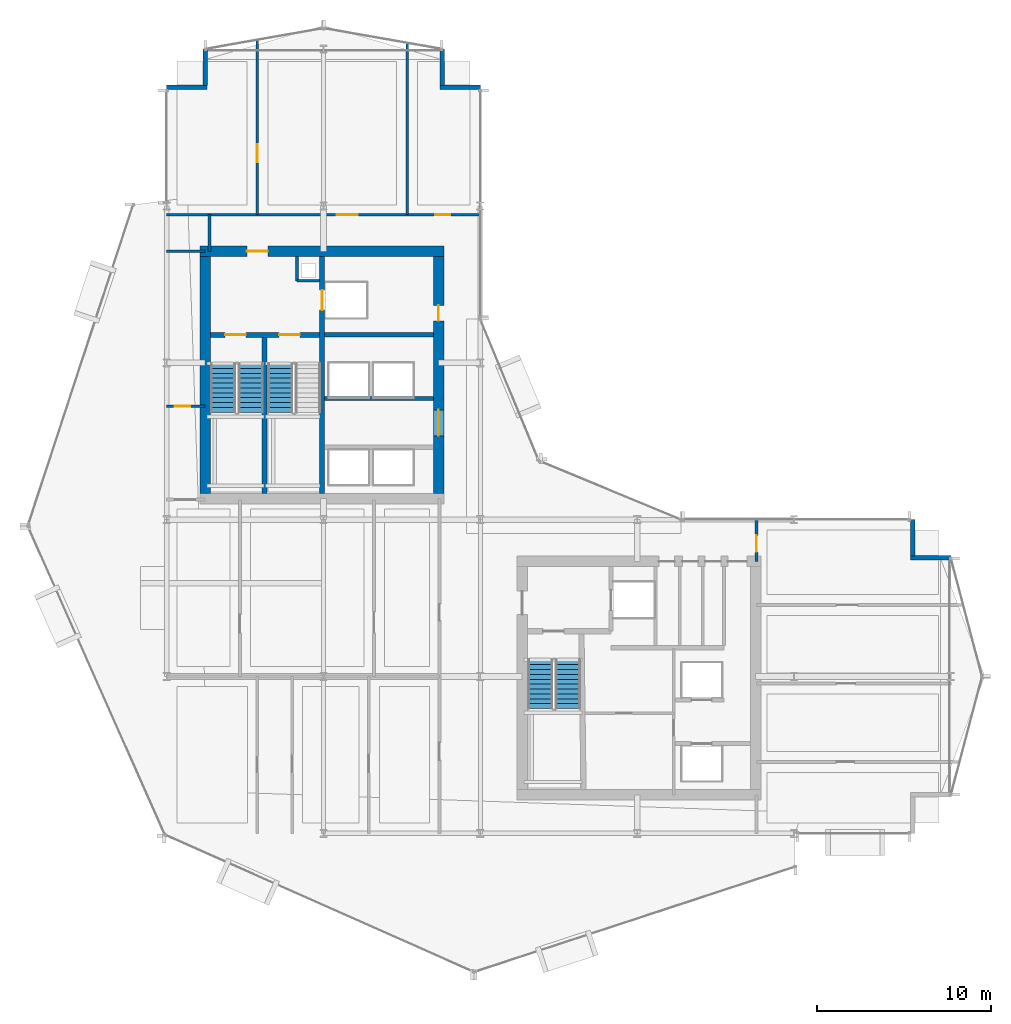
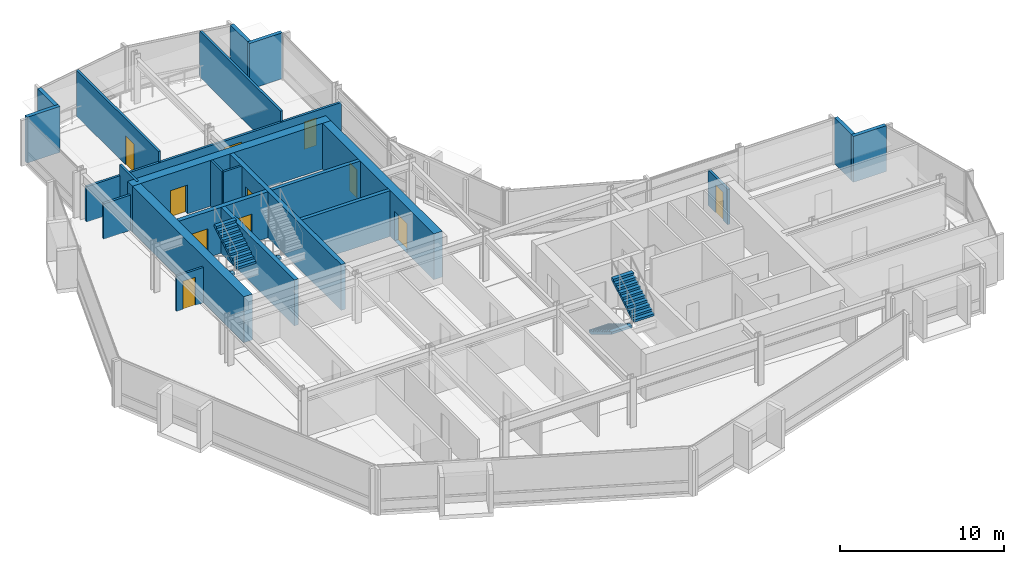
# One storey, part 23 of 29: 23 walls, 11 doors, 5 stair flights, 11 openings, 3 elements without a shape of their own.
"""IFC4 building model written with IfcOpenShell, lengths in metres."""

from ifc_helpers import new_model, si_unit, direction, frame, frame_2d, origin, place, context, subcontext, project, spatial, polyline, rectangle, outline, extrude, material, layer, layer_set, type_object, element, fill, aggregate, save


model = new_model("IFC4")

# Units and contexts
model_context = context("Model", 3, precision=1e-05, world=origin(), true_north=direction((0.0, 1.0)))
body_context = subcontext(model_context, "Body", "Model", "MODEL_VIEW")
ifc_project = project(units=[si_unit("LENGTHUNIT", "METRE"), si_unit("AREAUNIT", "SQUARE_METRE"), si_unit("VOLUMEUNIT", "CUBIC_METRE"), si_unit("PLANEANGLEUNIT", "RADIAN"), si_unit("MASSUNIT", "GRAM", prefix="KILO")], contexts=[model_context])

# Site, building, storey
site_placement = place(None, origin())
site = spatial("IfcSite", under=ifc_project, at=site_placement, CompositionType="ELEMENT")
building_placement = place(site_placement, origin())
building = spatial("IfcBuilding", under=site, at=building_placement, Name="Solvaryn Broadcast Tower", CompositionType="ELEMENT")
storey_placement = place(building_placement, frame((0.0, 0.0, 121.10009765625)))
storey = spatial("IfcBuildingStorey", under=building, at=storey_placement, Name="L29", CompositionType="ELEMENT", Elevation=121.10009765625)

# Wall, opening, door
ifc_material_1 = material(Name="Concrete f'c 70 MPa", Category="concrete")
ifc_layer_1 = layer(ifc_material_1, 0.60009765625)
ifc_layer_set_1 = layer_set([ifc_layer_1], Name="CW-SHEAR-600")
wall_type_1 = type_object("IfcWallType", Name="CW-SHEAR-600", PredefinedType="SHEAR", material=ifc_layer_set_1)
wall_1_placement = place(storey_placement, frame((24.89990234375, 42.39990234375, 0.0), z_axis=(0.0, 0.0, 1.0), x_axis=(-1.0, 0.0, 0.0)))
wall_1 = element("IfcWall", 1, at=wall_1_placement, inside=storey, type_object=wall_type_1, Name="L29 West Core North Shear Wall", PredefinedType="SHEAR", context=body_context, shape_type="SweptSolid", body=[
    extrude(rectangle(XDim=14.0, YDim=0.60009765625, at=frame_2d((7.0, 0.0))), origin(), (0.0, 0.0, 1.0), 3.419921875),
])
opening_1_placement = place(wall_1_placement, frame((10.10009765625, 0.0, 0.0)))
opening_1 = element("IfcOpeningElement", 2, at=opening_1_placement, cuts=wall_1, Name="Opening FD90A", PredefinedType="OPENING", context=body_context, shape_type="SweptSolid", body=[
    extrude(rectangle(XDim=1.199951171875, YDim=2.14990234375, at=frame_2d((0.60009765625, 1.074951171875))), frame((0.0, 0.31005859375, 0.0), z_axis=(0.0, -1.0, 0.0), x_axis=(1.0, 0.0, 0.0)), (0.0, 0.0, 1.0), 0.6201171875),
])
ifc_material_2 = material(Name="Flush Acoustic Steel and Timber Door Assembly", Category="steel")
door_type_1 = type_object("IfcDoorType", Name="FD90-STAIR-1200X2150", OperationType="NOTDEFINED", PredefinedType="DOOR", material=ifc_material_2)
door_1_placement = place(opening_1_placement, origin())
door_1 = element("IfcDoor", 3, at=door_1_placement, inside=storey, type_object=door_type_1, Name="L29 West FSAE Lobby Corridor Door", OperationType="SINGLE_SWING_LEFT", OverallHeight=2.14990234375, OverallWidth=1.199951171875, PredefinedType="DOOR", context=body_context, shape_type="SweptSolid", body=[
    extrude(rectangle(XDim=1.199951171875, YDim=2.14990234375, at=frame_2d((0.60009765625, 1.074951171875))), frame((0.0, 0.02490234375, 0.0), z_axis=(0.0, -1.0, 0.0), x_axis=(1.0, 0.0, 0.0)), (0.0, 0.0, 1.0), 0.050048828125),
])
fill(opening_1, door_1)

# Wall
wall_2_placement = place(storey_placement, frame((11.199951171875, 42.10009765625, 0.0), z_axis=(0.0, 0.0, 1.0), x_axis=(0.0, -1.0, 0.0)))
element("IfcWall", 4, at=wall_2_placement, inside=storey, type_object=wall_type_1, Name="L29 West Core West Shear Wall", PredefinedType="SHEAR", context=body_context, shape_type="SweptSolid", body=[
    extrude(rectangle(XDim=13.60009765625, YDim=0.60009765625, at=frame_2d((6.800048828125, 0.0))), origin(), (0.0, 0.0, 1.0), 3.419921875),
])

# Wall, openings, doors
wall_3_placement = place(storey_placement, frame((24.60009765625, 28.5, 0.0), z_axis=(0.0, 0.0, 1.0), x_axis=(0.0, 1.0, 0.0)))
wall_3 = element("IfcWall", 5, at=wall_3_placement, inside=storey, type_object=wall_type_1, Name="L29 West Core East Shear Wall", PredefinedType="SHEAR", context=body_context, shape_type="SweptSolid", body=[
    extrude(rectangle(XDim=13.60009765625, YDim=0.60009765625, at=frame_2d((6.800048828125, 0.0))), origin(), (0.0, 0.0, 1.0), 3.419921875),
])
opening_2_placement = place(wall_3_placement, frame((3.300048828125, 0.0, 0.0)))
opening_2 = element("IfcOpeningElement", 6, at=opening_2_placement, cuts=wall_3, Name="Opening FD60A", PredefinedType="OPENING", context=body_context, shape_type="SweptSolid", body=[
    extrude(rectangle(XDim=1.5, YDim=2.199951171875, at=frame_2d((0.75, 1.10009765625))), frame((0.0, 0.31005859375, 0.0), z_axis=(0.0, -1.0, 0.0), x_axis=(1.0, 0.0, 0.0)), (0.0, 0.0, 1.0), 0.6201171875),
])
opening_3_placement = place(wall_3_placement, frame((9.89990234375, 0.0, 0.0)))
opening_3 = element("IfcOpeningElement", 7, at=opening_3_placement, cuts=wall_3, Name="Opening FD60C", PredefinedType="OPENING", context=body_context, shape_type="SweptSolid", body=[
    extrude(rectangle(XDim=0.89990234375, YDim=2.10009765625, at=frame_2d((0.449951171875, 1.050048828125))), frame((0.0, 0.31005859375, 0.0), z_axis=(0.0, -1.0, 0.0), x_axis=(1.0, 0.0, 0.0)), (0.0, 0.0, 1.0), 0.6201171875),
])
ifc_material_3 = material(Name="Flush Acoustic Steel and Timber Door Assembly", Category="steel")
door_type_2 = type_object("IfcDoorType", Name="FD60-CORR-1500X2200", OperationType="NOTDEFINED", PredefinedType="DOOR", material=ifc_material_3)
door_2_placement = place(opening_2_placement, origin())
door_2 = element("IfcDoor", 8, at=door_2_placement, inside=storey, type_object=door_type_2, Name="L29 West Elevator Lobby Corridor Door", OperationType="DOUBLE_DOOR_SINGLE_SWING", OverallHeight=2.199951171875, OverallWidth=1.5, PredefinedType="DOOR", context=body_context, shape_type="SweptSolid", body=[
    extrude(rectangle(XDim=1.5, YDim=2.199951171875, at=frame_2d((0.75, 1.10009765625))), frame((0.0, 0.02490234375, 0.0), z_axis=(0.0, -1.0, 0.0), x_axis=(1.0, 0.0, 0.0)), (0.0, 0.0, 1.0), 0.050048828125),
])
fill(opening_2, door_2)
ifc_material_4 = material(Name="Flush Acoustic Steel and Timber Door Assembly", Category="steel")
door_type_3 = type_object("IfcDoorType", Name="FD60-SERV-900X2100", OperationType="NOTDEFINED", PredefinedType="DOOR", material=ifc_material_4)
door_3_placement = place(opening_3_placement, origin())
door_3 = element("IfcDoor", 9, at=door_3_placement, inside=storey, type_object=door_type_3, Name="L29 West Core Service Door 1", OperationType="SINGLE_SWING_LEFT", OverallHeight=2.10009765625, OverallWidth=0.89990234375, PredefinedType="DOOR", context=body_context, shape_type="SweptSolid", body=[
    extrude(rectangle(XDim=0.89990234375, YDim=2.10009765625, at=frame_2d((0.449951171875, 1.050048828125))), frame((0.0, 0.02490234375, 0.0), z_axis=(0.0, -1.0, 0.0), x_axis=(1.0, 0.0, 0.0)), (0.0, 0.0, 1.0), 0.050048828125),
])
fill(opening_3, door_3)

# Walls
ifc_material_5 = material(Name="Concrete f'c 50 MPa", Category="concrete")
ifc_layer_2 = layer(ifc_material_5, 0.260009765625)
ifc_layer_set_2 = layer_set([ifc_layer_2], Name="EW-PIER-260")
wall_type_2 = type_object("IfcWallType", Name="EW-PIER-260", PredefinedType="SOLIDWALL", material=ifc_layer_set_2)
wall_4_placement = place(storey_placement, frame((9.0, 51.800048828125, 0.0), z_axis=(0.0, 0.0, 1.0), x_axis=(1.0, 0.0, 0.0)))
element("IfcWall", 10, at=wall_4_placement, inside=storey, type_object=wall_type_2, Name="L29 Notched Corner Pier Wall NNW1", PredefinedType="SOLIDWALL", context=body_context, shape_type="SweptSolid", body=[
    extrude(rectangle(XDim=2.320068359375, YDim=0.260009765625, at=frame_2d((1.16015625, 0.0))), origin(), (0.0, 0.0, 1.0), 3.419921875),
])
for number, where, z_axis, x_axis, name in (
    (11, (11.199951171875, 51.919921875, 0.0), (0.0, 0.0, 1.0), (0.0, 1.0, 0.0), "L29 Notched Corner Pier Wall NNW2"),
    (12, (24.800048828125, 54.0, 0.0), (0.0, 0.0, 1.0), (0.0, -1.0, 0.0), "L29 Notched Corner Pier Wall NNE1"),
):
    element("IfcWall", number, at=place(storey_placement, frame(where, z_axis=z_axis, x_axis=x_axis)), inside=storey, type_object=wall_type_2, Name=name, PredefinedType="SOLIDWALL", context=body_context, shape_type="SweptSolid", body=[
        extrude(rectangle(XDim=2.080078125, YDim=0.260009765625, at=frame_2d((1.0400390625, 0.0))), origin(), (0.0, 0.0, 1.0), 3.419921875),
    ])
for number, where, z_axis, x_axis, name in (
    (13, (24.679931640625, 51.800048828125, 0.0), (0.0, 0.0, 1.0), (1.0, 0.0, 0.0), "L29 Notched Corner Pier Wall NNE2"),
    (14, (54.0, 24.800048828125, 0.0), (0.0, 0.0, 1.0), (-1.0, 0.0, 0.0), "L29 Notched Corner Pier Wall NEE1"),
):
    element("IfcWall", number, at=place(storey_placement, frame(where, z_axis=z_axis, x_axis=x_axis)), inside=storey, type_object=wall_type_2, Name=name, PredefinedType="SOLIDWALL", context=body_context, shape_type="SweptSolid", body=[
        extrude(rectangle(XDim=2.320068359375, YDim=0.260009765625, at=frame_2d((1.16015625, 0.0))), origin(), (0.0, 0.0, 1.0), 3.419921875),
    ])
wall_5_placement = place(storey_placement, frame((51.800048828125, 24.919921875, 0.0), z_axis=(0.0, 0.0, 1.0), x_axis=(0.0, 1.0, 0.0)))
element("IfcWall", 15, at=wall_5_placement, inside=storey, type_object=wall_type_2, Name="L29 Notched Corner Pier Wall NEE2", PredefinedType="SOLIDWALL", context=body_context, shape_type="SweptSolid", body=[
    extrude(rectangle(XDim=2.080078125, YDim=0.260009765625, at=frame_2d((1.0400390625, 0.0))), origin(), (0.0, 0.0, 1.0), 3.419921875),
])
ifc_material_6 = material(Name="Metal-Stud Service Core Partition")
ifc_layer_3 = layer(ifc_material_6, 0.14990234375)
ifc_layer_set_3 = layer_set([ifc_layer_3], Name="IW-PART-150")
wall_type_3 = type_object("IfcWallType", Name="IW-PART-150", PredefinedType="PARTITIONING", material=ifc_layer_set_3)
wall_6_placement = place(storey_placement, frame((16.47998046875, 40.699951171875, 0.0), z_axis=(0.0, 0.0, 1.0), x_axis=(1.0, 0.0, 0.0)))
element("IfcWall", 16, at=wall_6_placement, inside=storey, type_object=wall_type_3, Name="L29 West Core Riser Shaft South Wall", PredefinedType="PARTITIONING", context=body_context, shape_type="SweptSolid", body=[
    extrude(rectangle(XDim=1.2900390625, YDim=0.14990234375, at=frame_2d((0.64501953125, 0.0))), origin(), (0.0, 0.0, 1.0), 3.419921875),
])
wall_7_placement = place(storey_placement, frame((16.47998046875, 40.699951171875, 0.0), z_axis=(0.0, 0.0, 1.0), x_axis=(0.0, 1.0, 0.0)))
element("IfcWall", 17, at=wall_7_placement, inside=storey, type_object=wall_type_3, Name="L29 West Core Riser Shaft West Wall", PredefinedType="PARTITIONING", context=body_context, shape_type="SweptSolid", body=[
    extrude(rectangle(XDim=1.400146484375, YDim=0.14990234375, at=frame_2d((0.7001953125, 0.0))), origin(), (0.0, 0.0, 1.0), 3.419921875),
])

# Wall, opening, door
wall_8_placement = place(storey_placement, frame((9.0, 33.5, 0.0), z_axis=(0.0, 0.0, 1.0), x_axis=(1.0, 0.0, 0.0)))
wall_8 = element("IfcWall", 18, at=wall_8_placement, inside=storey, type_object=wall_type_3, Name="L29 Interior Partition IW-L29-WM-M", PredefinedType="PARTITIONING", context=body_context, shape_type="SweptSolid", body=[
    extrude(rectangle(XDim=2.199951171875, YDim=0.14990234375, at=frame_2d((1.10009765625, 0.0))), origin(), (0.0, 0.0, 1.0), 2.6337890625),
])
opening_4_placement = place(wall_8_placement, frame((0.449951171875, 0.0, 0.0)))
opening_4 = element("IfcOpeningElement", 19, at=opening_4_placement, cuts=wall_8, Name="Opening FD60C", PredefinedType="OPENING", context=body_context, shape_type="SweptSolid", body=[
    extrude(rectangle(XDim=0.89990234375, YDim=2.10009765625, at=frame_2d((0.449951171875, 1.050048828125))), frame((0.0, 0.0849609375, 0.0), z_axis=(0.0, -1.0, 0.0), x_axis=(1.0, 0.0, 0.0)), (0.0, 0.0, 1.0), 0.169921875),
])
door_4_placement = place(opening_4_placement, origin())
door_4 = element("IfcDoor", 20, at=door_4_placement, inside=storey, type_object=door_type_3, Name="L29 Door DR-L29-WM1", OperationType="SINGLE_SWING_RIGHT", OverallHeight=2.10009765625, OverallWidth=0.89990234375, PredefinedType="DOOR", context=body_context, shape_type="SweptSolid", body=[
    extrude(rectangle(XDim=0.89990234375, YDim=2.10009765625, at=frame_2d((0.449951171875, 1.050048828125))), frame((0.0, 0.02490234375, 0.0), z_axis=(0.0, -1.0, 0.0), x_axis=(1.0, 0.0, 0.0)), (0.0, 0.0, 1.0), 0.050048828125),
])
fill(opening_4, door_4)

# Walls
ifc_material_7 = material(Name="Metal-Stud Gypsum Office Partition")
ifc_layer_4 = layer(ifc_material_7, 0.159912109375)
ifc_layer_set_4 = layer_set([ifc_layer_4], Name="IW-PART-160")
wall_type_4 = type_object("IfcWallType", Name="IW-PART-160", PredefinedType="PARTITIONING", material=ifc_layer_set_4)
wall_9_placement = place(storey_placement, frame((9.0, 42.39990234375, 0.0), z_axis=(0.0, 0.0, 1.0), x_axis=(1.0, 0.0, 0.0)))
element("IfcWall", 21, at=wall_9_placement, inside=storey, type_object=wall_type_4, Name="L29 Interior Partition IW-L29-WM-N", PredefinedType="PARTITIONING", context=body_context, shape_type="SweptSolid", body=[
    extrude(rectangle(XDim=2.199951171875, YDim=0.159912109375, at=frame_2d((1.10009765625, 0.0))), origin(), (0.0, 0.0, 1.0), 2.6337890625),
])
wall_10_placement = place(storey_placement, frame((11.449951171875, 42.39990234375, 0.0), z_axis=(0.0, 0.0, 1.0), x_axis=(0.0, 1.0, 0.0)))
element("IfcWall", 22, at=wall_10_placement, inside=storey, type_object=wall_type_4, Name="L29 Interior Partition IW-L29-WM-E", PredefinedType="PARTITIONING", context=body_context, shape_type="SweptSolid", body=[
    extrude(rectangle(XDim=2.10009765625, YDim=0.159912109375, at=frame_2d((1.050048828125, 0.0))), origin(), (0.0, 0.0, 1.0), 3.419921875),
])

# Wall, openings, doors
wall_11_placement = place(storey_placement, frame((9.0, 44.5, 0.0), z_axis=(0.0, 0.0, 1.0), x_axis=(1.0, 0.0, 0.0)))
wall_11 = element("IfcWall", 23, at=wall_11_placement, inside=storey, type_object=wall_type_4, Name="L29 Interior Partition IW-L29-NW-SB", PredefinedType="PARTITIONING", context=body_context, shape_type="SweptSolid", body=[
    extrude(rectangle(XDim=18.0, YDim=0.159912109375, at=frame_2d((9.0, 0.0))), origin(), (0.0, 0.0, 1.0), 2.6337890625),
])
opening_5_placement = place(wall_11_placement, frame((9.75, 0.0, 0.0)))
opening_5 = element("IfcOpeningElement", 24, at=opening_5_placement, cuts=wall_11, Name="Opening ID04", PredefinedType="OPENING", context=body_context, shape_type="SweptSolid", body=[
    extrude(rectangle(XDim=1.199951171875, YDim=2.14990234375, at=frame_2d((0.60009765625, 1.074951171875))), frame((0.0, 0.090087890625, 0.0), z_axis=(0.0, -1.0, 0.0), x_axis=(1.0, 0.0, 0.0)), (0.0, 0.0, 1.0), 0.179931640625),
])
opening_6_placement = place(wall_11_placement, frame((15.39990234375, 0.0, 0.0)))
opening_6 = element("IfcOpeningElement", 25, at=opening_6_placement, cuts=wall_11, Name="Opening ID07", PredefinedType="OPENING", context=body_context, shape_type="SweptSolid", body=[
    extrude(rectangle(XDim=0.860107421875, YDim=2.050048828125, at=frame_2d((0.43017578125, 1.02490234375))), frame((0.0, 0.090087890625, 0.0), z_axis=(0.0, -1.0, 0.0), x_axis=(1.0, 0.0, 0.0)), (0.0, 0.0, 1.0), 0.179931640625),
])
ifc_material_8 = material(Name="Flush Acoustic Steel and Timber Door Assembly", Category="steel")
door_type_4 = type_object("IfcDoorType", Name="ID-04-1200X2150", OperationType="NOTDEFINED", PredefinedType="DOOR", material=ifc_material_8)
door_5_placement = place(opening_5_placement, origin())
door_5 = element("IfcDoor", 26, at=door_5_placement, inside=storey, type_object=door_type_4, Name="L29 Door DR-L29-NW-2", OperationType="SINGLE_SWING_LEFT", OverallHeight=2.14990234375, OverallWidth=1.199951171875, PredefinedType="DOOR", context=body_context, shape_type="SweptSolid", body=[
    extrude(rectangle(XDim=1.199951171875, YDim=2.14990234375, at=frame_2d((0.60009765625, 1.074951171875))), frame((0.0, 0.02490234375, 0.0), z_axis=(0.0, -1.0, 0.0), x_axis=(1.0, 0.0, 0.0)), (0.0, 0.0, 1.0), 0.050048828125),
])
fill(opening_5, door_5)
ifc_material_9 = material(Name="Flush Acoustic Steel and Timber Door Assembly", Category="steel")
door_type_5 = type_object("IfcDoorType", Name="ID-07-860X2050", OperationType="NOTDEFINED", PredefinedType="DOOR", material=ifc_material_9)
door_6_placement = place(opening_6_placement, origin())
door_6 = element("IfcDoor", 27, at=door_6_placement, inside=storey, type_object=door_type_5, Name="L29 Door DR-L29-NW-3", OperationType="SINGLE_SWING_RIGHT", OverallHeight=2.050048828125, OverallWidth=0.860107421875, PredefinedType="DOOR", context=body_context, shape_type="SweptSolid", body=[
    extrude(rectangle(XDim=0.860107421875, YDim=2.050048828125, at=frame_2d((0.43017578125, 1.02490234375))), frame((0.0, 0.02490234375, 0.0), z_axis=(0.0, -1.0, 0.0), x_axis=(1.0, 0.0, 0.0)), (0.0, 0.0, 1.0), 0.050048828125),
])
fill(opening_6, door_6)

# Wall, opening, door
wall_12_placement = place(storey_placement, frame((14.199951171875, 44.5, 0.0), z_axis=(0.0, 0.0, 1.0), x_axis=(0.0, 1.0, 0.0)))
wall_12 = element("IfcWall", 28, at=wall_12_placement, inside=storey, type_object=wall_type_4, Name="L29 Interior Partition IW-L29-NW-V1", PredefinedType="PARTITIONING", context=body_context, shape_type="SweptSolid", body=[
    extrude(rectangle(XDim=10.029052734375, YDim=0.159912109375, at=frame_2d((5.0146484375, 0.0))), origin(), (0.0, 0.0, 1.0), 3.419921875),
])
opening_7_placement = place(wall_12_placement, frame((3.0, 0.0, 0.0)))
opening_7 = element("IfcOpeningElement", 29, at=opening_7_placement, cuts=wall_12, Name="Opening ID03", PredefinedType="OPENING", context=body_context, shape_type="SweptSolid", body=[
    extrude(rectangle(XDim=1.050048828125, YDim=2.14990234375, at=frame_2d((0.52490234375, 1.074951171875))), frame((0.0, 0.090087890625, 0.0), z_axis=(0.0, -1.0, 0.0), x_axis=(1.0, 0.0, 0.0)), (0.0, 0.0, 1.0), 0.179931640625),
])
ifc_material_10 = material(Name="Flush Acoustic Steel and Timber Door Assembly", Category="steel")
door_type_6 = type_object("IfcDoorType", Name="ID-03-1050X2150", OperationType="NOTDEFINED", PredefinedType="DOOR", material=ifc_material_10)
door_7_placement = place(opening_7_placement, origin())
door_7 = element("IfcDoor", 30, at=door_7_placement, inside=storey, type_object=door_type_6, Name="L29 Door DR-L29-NW-C1", OperationType="SINGLE_SWING_RIGHT", OverallHeight=2.14990234375, OverallWidth=1.050048828125, PredefinedType="DOOR", context=body_context, shape_type="SweptSolid", body=[
    extrude(rectangle(XDim=1.050048828125, YDim=2.14990234375, at=frame_2d((0.52490234375, 1.074951171875))), frame((0.0, 0.02490234375, 0.0), z_axis=(0.0, -1.0, 0.0), x_axis=(1.0, 0.0, 0.0)), (0.0, 0.0, 1.0), 0.050048828125),
])
fill(opening_7, door_7)

# Wall
wall_13_placement = place(storey_placement, frame((22.800048828125, 44.5, 0.0), z_axis=(0.0, 0.0, 1.0), x_axis=(0.0, 1.0, 0.0)))
element("IfcWall", 31, at=wall_13_placement, inside=storey, type_object=wall_type_4, Name="L29 Interior Partition IW-L29-NW-V2", PredefinedType="PARTITIONING", context=body_context, shape_type="SweptSolid", body=[
    extrude(rectangle(XDim=9.85302734375, YDim=0.159912109375, at=frame_2d((4.926513671875, 0.0))), origin(), (0.0, 0.0, 1.0), 3.419921875),
])

# Wall, opening, door
wall_14_placement = place(storey_placement, frame((42.85009765625, 24.60009765625, 0.0), z_axis=(0.0, 0.0, 1.0), x_axis=(0.0, 1.0, 0.0)))
wall_14 = element("IfcWall", 32, at=wall_14_placement, inside=storey, type_object=wall_type_4, Name="L29 Interior Partition IW-L29-EW-BN", PredefinedType="PARTITIONING", context=body_context, shape_type="SweptSolid", body=[
    extrude(rectangle(XDim=2.39990234375, YDim=0.159912109375, at=frame_2d((1.199951171875, 0.0))), origin(), (0.0, 0.0, 1.0), 2.6337890625),
])
opening_8_placement = place(wall_14_placement, frame((0.550048828125, 0.0, 0.0)))
opening_8 = element("IfcOpeningElement", 33, at=opening_8_placement, cuts=wall_14, Name="Opening ID01", PredefinedType="OPENING", context=body_context, shape_type="SweptSolid", body=[
    extrude(rectangle(XDim=0.949951171875, YDim=2.10009765625, at=frame_2d((0.47509765625, 1.050048828125))), frame((0.0, 0.090087890625, 0.0), z_axis=(0.0, -1.0, 0.0), x_axis=(1.0, 0.0, 0.0)), (0.0, 0.0, 1.0), 0.179931640625),
])
ifc_material_11 = material(Name="Flush Acoustic Steel and Timber Door Assembly", Category="steel")
door_type_7 = type_object("IfcDoorType", Name="ID-01-950X2100", OperationType="NOTDEFINED", PredefinedType="DOOR", material=ifc_material_11)
door_8_placement = place(opening_8_placement, origin())
door_8 = element("IfcDoor", 34, at=door_8_placement, inside=storey, type_object=door_type_7, Name="L29 Door DR-L29-EW0", OperationType="SINGLE_SWING_LEFT", OverallHeight=2.10009765625, OverallWidth=0.949951171875, PredefinedType="DOOR", context=body_context, shape_type="SweptSolid", body=[
    extrude(rectangle(XDim=0.949951171875, YDim=2.10009765625, at=frame_2d((0.47509765625, 1.050048828125))), frame((0.0, 0.02490234375, 0.0), z_axis=(0.0, -1.0, 0.0), x_axis=(1.0, 0.0, 0.0)), (0.0, 0.0, 1.0), 0.050048828125),
])
fill(opening_8, door_8)

# Walls
ifc_material_12 = material(Name="Concrete f'c 60 MPa", Category="concrete")
ifc_layer_5 = layer(ifc_material_12, 0.25)
ifc_layer_set_5 = layer_set([ifc_layer_5], Name="SW-SHAFT-250")
wall_type_5 = type_object("IfcWallType", Name="SW-SHAFT-250", PredefinedType="PARTITIONING", material=ifc_layer_set_5)
for number, where, z_axis, x_axis, name in (
    (35, (18.070068359375, 37.60009765625, 0.0), (0.0, 0.0, 1.0), (1.0, 0.0, 0.0), "L29 West Core FSAE Hoistway Front Wall"),
    (36, (24.300048828125, 33.949951171875, 0.0), (0.0, 0.0, 1.0), (-1.0, 0.0, 0.0), "L29 High-Rise Lift Bank North Wall"),
):
    element("IfcWall", number, at=place(storey_placement, frame(where, z_axis=z_axis, x_axis=x_axis)), inside=storey, type_object=wall_type_5, Name=name, PredefinedType="PARTITIONING", context=body_context, shape_type="SweptSolid", body=[
        extrude(rectangle(XDim=6.22998046875, YDim=0.25, at=frame_2d((3.114990234375, 0.0))), origin(), (0.0, 0.0, 1.0), 3.419921875),
    ])
ifc_material_13 = material(Name="Concrete f'c 70 MPa", Category="concrete")
ifc_layer_6 = layer(ifc_material_13, 0.300048828125)
ifc_layer_set_6 = layer_set([ifc_layer_6], Name="SW-SHAFT-300")
wall_type_6 = type_object("IfcWallType", Name="SW-SHAFT-300", PredefinedType="SHEAR", material=ifc_layer_set_6)
wall_15_placement = place(storey_placement, frame((14.6201171875, 28.5, 0.0), z_axis=(0.0, 0.0, 1.0), x_axis=(0.0, 1.0, 0.0)))
element("IfcWall", 37, at=wall_15_placement, inside=storey, type_object=wall_type_6, Name="L29 Stair 1-2 Dividing Wall", PredefinedType="SHEAR", context=body_context, shape_type="SweptSolid", body=[
    extrude(rectangle(XDim=8.949951171875, YDim=0.300048828125, at=frame_2d((4.47509765625, 0.0))), origin(), (0.0, 0.0, 1.0), 3.419921875),
])

# Wall, opening, door
wall_16_placement = place(storey_placement, frame((17.919921875, 42.10009765625, 0.0), z_axis=(0.0, 0.0, 1.0), x_axis=(0.0, -1.0, 0.0)))
wall_16 = element("IfcWall", 38, at=wall_16_placement, inside=storey, type_object=wall_type_6, Name="L29 West Core Stair-Lobby Shear Wall", PredefinedType="SHEAR", context=body_context, shape_type="SweptSolid", body=[
    extrude(rectangle(XDim=13.60009765625, YDim=0.300048828125, at=frame_2d((6.800048828125, 0.0))), origin(), (0.0, 0.0, 1.0), 3.419921875),
])
opening_9_placement = place(wall_16_placement, frame((1.925048828125, 0.0, 0.0)))
opening_9 = element("IfcOpeningElement", 39, at=opening_9_placement, cuts=wall_16, Name="Opening LD01", PredefinedType="OPENING", context=body_context, shape_type="SweptSolid", body=[
    extrude(rectangle(XDim=1.14990234375, YDim=2.14990234375, at=frame_2d((0.574951171875, 1.074951171875))), frame((0.0, 0.159912109375, 0.0), z_axis=(0.0, -1.0, 0.0), x_axis=(1.0, 0.0, 0.0)), (0.0, 0.0, 1.0), 0.320068359375),
])
ifc_material_14 = material(Name="Flush Acoustic Steel and Timber Door Assembly", Category="steel")
door_type_8 = type_object("IfcDoorType", Name="LD-LIFT-1150X2150", OperationType="NOTDEFINED", PredefinedType="DOOR", material=ifc_material_14)
door_9_placement = place(opening_9_placement, origin())
door_9 = element("IfcDoor", 40, at=door_9_placement, inside=storey, type_object=door_type_8, Name="L29 FL1 Lift Landing Door", OperationType="DOUBLE_DOOR_SLIDING", OverallHeight=2.14990234375, OverallWidth=1.14990234375, PredefinedType="DOOR", context=body_context, shape_type="SweptSolid", body=[
    extrude(rectangle(XDim=1.14990234375, YDim=2.14990234375, at=frame_2d((0.574951171875, 1.074951171875))), frame((0.0, 0.02490234375, 0.0), z_axis=(0.0, -1.0, 0.0), x_axis=(1.0, 0.0, 0.0)), (0.0, 0.0, 1.0), 0.050048828125),
])
fill(opening_9, door_9)

# Wall, openings, doors
wall_17_placement = place(storey_placement, frame((17.77001953125, 37.60009765625, 0.0), z_axis=(0.0, 0.0, 1.0), x_axis=(-1.0, 0.0, 0.0)))
wall_17 = element("IfcWall", 41, at=wall_17_placement, inside=storey, type_object=wall_type_6, Name="L29 West Core FSAE Lobby South Wall", PredefinedType="SHEAR", context=body_context, shape_type="SweptSolid", body=[
    extrude(rectangle(XDim=6.27001953125, YDim=0.300048828125, at=frame_2d((3.135009765625, 0.0))), origin(), (0.0, 0.0, 1.0), 3.419921875),
])
opening_10_placement = place(wall_17_placement, frame((4.219970703125, 0.0, 0.0)))
opening_10 = element("IfcOpeningElement", 42, at=opening_10_placement, cuts=wall_17, Name="Opening FD90A", PredefinedType="OPENING", context=body_context, shape_type="SweptSolid", body=[
    extrude(rectangle(XDim=1.199951171875, YDim=2.14990234375, at=frame_2d((0.60009765625, 1.074951171875))), frame((0.0, 0.159912109375, 0.0), z_axis=(0.0, -1.0, 0.0), x_axis=(1.0, 0.0, 0.0)), (0.0, 0.0, 1.0), 0.320068359375),
])
opening_11_placement = place(wall_17_placement, frame((1.1201171875, 0.0, 0.0)))
opening_11 = element("IfcOpeningElement", 43, at=opening_11_placement, cuts=wall_17, Name="Opening FD90A", PredefinedType="OPENING", context=body_context, shape_type="SweptSolid", body=[
    extrude(rectangle(XDim=1.199951171875, YDim=2.14990234375, at=frame_2d((0.60009765625, 1.074951171875))), frame((0.0, 0.159912109375, 0.0), z_axis=(0.0, -1.0, 0.0), x_axis=(1.0, 0.0, 0.0)), (0.0, 0.0, 1.0), 0.320068359375),
])
door_10_placement = place(opening_10_placement, origin())
door_10 = element("IfcDoor", 44, at=door_10_placement, inside=storey, type_object=door_type_1, Name="L29 Stair 1 Fire Door", OperationType="SINGLE_SWING_LEFT", OverallHeight=2.14990234375, OverallWidth=1.199951171875, PredefinedType="DOOR", context=body_context, shape_type="SweptSolid", body=[
    extrude(rectangle(XDim=1.199951171875, YDim=2.14990234375, at=frame_2d((0.60009765625, 1.074951171875))), frame((0.0, 0.02490234375, 0.0), z_axis=(0.0, -1.0, 0.0), x_axis=(1.0, 0.0, 0.0)), (0.0, 0.0, 1.0), 0.050048828125),
])
fill(opening_10, door_10)
door_11_placement = place(opening_11_placement, origin())
door_11 = element("IfcDoor", 45, at=door_11_placement, inside=storey, type_object=door_type_1, Name="L29 Stair 2 Fire Door", OperationType="SINGLE_SWING_RIGHT", OverallHeight=2.14990234375, OverallWidth=1.199951171875, PredefinedType="DOOR", context=body_context, shape_type="SweptSolid", body=[
    extrude(rectangle(XDim=1.199951171875, YDim=2.14990234375, at=frame_2d((0.60009765625, 1.074951171875))), frame((0.0, 0.02490234375, 0.0), z_axis=(0.0, -1.0, 0.0), x_axis=(1.0, 0.0, 0.0)), (0.0, 0.0, 1.0), 0.050048828125),
])
fill(opening_11, door_11)

# Stair, stair flights
ifc_material_15 = material(Name="Concrete f'c 60 MPa", Category="concrete")
stair_type = type_object("IfcStairType", Name="ST-CORE", PredefinedType="HALF_TURN_STAIR", material=ifc_material_15)
stair_1_placement = place(storey_placement, origin())
stair_1 = element("IfcStair", 46, at=stair_1_placement, inside=storey, type_object=stair_type, Name="L29 ST1", PredefinedType="HALF_TURN_STAIR")
ifc_material_16 = material(Name="Concrete f'c 60 MPa", Category="concrete")
ifc_layer_7 = layer(ifc_material_16, 0.159912109375)
ifc_layer_set_7 = layer_set([ifc_layer_7], Name="SF-CORE")
stair_flight_type = type_object("IfcStairFlightType", Name="SF-CORE", PredefinedType="STRAIGHT", material=ifc_layer_set_7)
stair_flight_1_placement = place(storey_placement, frame((12.239990234375, 35.9599609375, 0.0), z_axis=(0.0, 0.0, 1.0), x_axis=(0.0, -1.0, 0.0)))
stair_flight_1 = element("IfcStairFlight", 47, at=stair_flight_1_placement, type_object=stair_flight_type, Name="ST1 flight 1", NumberOfRisers=11, NumberOfTreads=10, PredefinedType="STRAIGHT", RiserHeight=0.168181818, TreadLength=0.28, context=body_context, shape_type="SweptSolid", body=[
    extrude(outline(polyline([(0.0, 0.0), (0.0, 0.168212890625), (0.280029296875, 0.168212890625), (0.280029296875, 0.33642578125), (0.56005859375, 0.33642578125), (0.56005859375, 0.504638671875), (0.840087890625, 0.504638671875), (0.840087890625, 0.672607421875), (1.1201171875, 0.672607421875), (1.1201171875, 0.8408203125), (1.39990234375, 0.8408203125), (1.39990234375, 1.009033203125), (1.679931640625, 1.009033203125), (1.679931640625, 1.17724609375), (1.9599609375, 1.17724609375), (1.9599609375, 1.345458984375), (2.239990234375, 1.345458984375), (2.239990234375, 1.513671875), (2.52001953125, 1.513671875), (2.52001953125, 1.681884765625), (2.800048828125, 1.681884765625), (2.800048828125, 1.85009765625), (2.800048828125, 1.5068359375), (0.291015625, 0.0), (0.0, 0.0)])), frame((0.0, 0.719970703125, 0.0), z_axis=(0.0, -1.0, 0.0), x_axis=(1.0, 0.0, 0.0)), (0.0, 0.0, 1.0), 1.43994140625),
])
stair_flight_2_placement = place(storey_placement, frame((13.830078125, 33.159912109375, 1.849853515625), z_axis=(0.0, 0.0, 1.0), x_axis=(0.0, 1.0, 0.0)))
stair_flight_2 = element("IfcStairFlight", 48, at=stair_flight_2_placement, type_object=stair_flight_type, Name="ST1 flight 2", NumberOfRisers=11, NumberOfTreads=10, PredefinedType="STRAIGHT", RiserHeight=0.168181818, TreadLength=0.28, context=body_context, shape_type="SweptSolid", body=[
    extrude(outline(polyline([(0.0, 0.0), (0.0, 0.168212890625), (0.280029296875, 0.168212890625), (0.280029296875, 0.33642578125), (0.56005859375, 0.33642578125), (0.56005859375, 0.504638671875), (0.840087890625, 0.504638671875), (0.840087890625, 0.672607421875), (1.1201171875, 0.672607421875), (1.1201171875, 0.8408203125), (1.39990234375, 0.8408203125), (1.39990234375, 1.009033203125), (1.679931640625, 1.009033203125), (1.679931640625, 1.17724609375), (1.9599609375, 1.17724609375), (1.9599609375, 1.345458984375), (2.239990234375, 1.345458984375), (2.239990234375, 1.513671875), (2.52001953125, 1.513671875), (2.52001953125, 1.681884765625), (2.800048828125, 1.681884765625), (2.800048828125, 1.85009765625), (2.800048828125, 1.5068359375), (0.291015625, 0.0), (0.0, 0.0)])), frame((0.0, 0.719970703125, 0.0), z_axis=(0.0, -1.0, 0.0), x_axis=(1.0, 0.0, 0.0)), (0.0, 0.0, 1.0), 1.43994140625),
])
aggregate(stair_1, [stair_flight_1, stair_flight_2])

# Stair, stair flight
stair_2_placement = place(storey_placement, origin())
stair_2 = element("IfcStair", 49, at=stair_2_placement, inside=storey, type_object=stair_type, Name="L29 ST2", PredefinedType="HALF_TURN_STAIR")
stair_flight_3_placement = place(storey_placement, frame((15.52001953125, 35.9599609375, 0.0), z_axis=(0.0, 0.0, 1.0), x_axis=(0.0, -1.0, 0.0)))
stair_flight_3 = element("IfcStairFlight", 50, at=stair_flight_3_placement, type_object=stair_flight_type, Name="ST2 flight 1", NumberOfRisers=11, NumberOfTreads=10, PredefinedType="STRAIGHT", RiserHeight=0.168181818, TreadLength=0.28, context=body_context, shape_type="SweptSolid", body=[
    extrude(outline(polyline([(0.0, 0.0), (0.0, 0.168212890625), (0.280029296875, 0.168212890625), (0.280029296875, 0.33642578125), (0.56005859375, 0.33642578125), (0.56005859375, 0.504638671875), (0.840087890625, 0.504638671875), (0.840087890625, 0.672607421875), (1.1201171875, 0.672607421875), (1.1201171875, 0.8408203125), (1.39990234375, 0.8408203125), (1.39990234375, 1.009033203125), (1.679931640625, 1.009033203125), (1.679931640625, 1.17724609375), (1.9599609375, 1.17724609375), (1.9599609375, 1.345458984375), (2.239990234375, 1.345458984375), (2.239990234375, 1.513671875), (2.52001953125, 1.513671875), (2.52001953125, 1.681884765625), (2.800048828125, 1.681884765625), (2.800048828125, 1.85009765625), (2.800048828125, 1.5068359375), (0.291015625, 0.0), (0.0, 0.0)])), frame((0.0, 0.719970703125, 0.0), z_axis=(0.0, -1.0, 0.0), x_axis=(1.0, 0.0, 0.0)), (0.0, 0.0, 1.0), 1.43994140625),
])
aggregate(stair_2, [stair_flight_3])

# Stair, stair flights
stair_3_placement = place(storey_placement, origin())
stair_3 = element("IfcStair", 51, at=stair_3_placement, inside=storey, type_object=stair_type, Name="L29 ST3", PredefinedType="HALF_TURN_STAIR")
stair_flight_4_placement = place(storey_placement, frame((30.43994140625, 18.9599609375, 0.0), z_axis=(0.0, 0.0, 1.0), x_axis=(0.0, -1.0, 0.0)))
stair_flight_4 = element("IfcStairFlight", 52, at=stair_flight_4_placement, type_object=stair_flight_type, Name="ST3 flight 1", NumberOfRisers=11, NumberOfTreads=10, PredefinedType="STRAIGHT", RiserHeight=0.168181818, TreadLength=0.28, context=body_context, shape_type="SweptSolid", body=[
    extrude(outline(polyline([(0.0, 0.0), (0.0, 0.168212890625), (0.280029296875, 0.168212890625), (0.280029296875, 0.33642578125), (0.56005859375, 0.33642578125), (0.56005859375, 0.504638671875), (0.840087890625, 0.504638671875), (0.840087890625, 0.672607421875), (1.1201171875, 0.672607421875), (1.1201171875, 0.8408203125), (1.39990234375, 0.8408203125), (1.39990234375, 1.009033203125), (1.679931640625, 1.009033203125), (1.679931640625, 1.17724609375), (1.9599609375, 1.17724609375), (1.9599609375, 1.345458984375), (2.239990234375, 1.345458984375), (2.239990234375, 1.513671875), (2.52001953125, 1.513671875), (2.52001953125, 1.681884765625), (2.800048828125, 1.681884765625), (2.800048828125, 1.85009765625), (2.800048828125, 1.5068359375), (0.291015625, 0.0), (0.0, 0.0)])), frame((0.0, 0.719970703125, 0.0), z_axis=(0.0, -1.0, 0.0), x_axis=(1.0, 0.0, 0.0)), (0.0, 0.0, 1.0), 1.43994140625),
])
stair_flight_5_placement = place(storey_placement, frame((32.030029296875, 16.159912109375, 1.849853515625), z_axis=(0.0, 0.0, 1.0), x_axis=(0.0, 1.0, 0.0)))
stair_flight_5 = element("IfcStairFlight", 53, at=stair_flight_5_placement, type_object=stair_flight_type, Name="ST3 flight 2", NumberOfRisers=11, NumberOfTreads=10, PredefinedType="STRAIGHT", RiserHeight=0.168181818, TreadLength=0.28, context=body_context, shape_type="SweptSolid", body=[
    extrude(outline(polyline([(0.0, 0.0), (0.0, 0.168212890625), (0.280029296875, 0.168212890625), (0.280029296875, 0.33642578125), (0.56005859375, 0.33642578125), (0.56005859375, 0.504638671875), (0.840087890625, 0.504638671875), (0.840087890625, 0.672607421875), (1.1201171875, 0.672607421875), (1.1201171875, 0.8408203125), (1.39990234375, 0.8408203125), (1.39990234375, 1.009033203125), (1.679931640625, 1.009033203125), (1.679931640625, 1.17724609375), (1.9599609375, 1.17724609375), (1.9599609375, 1.345458984375), (2.239990234375, 1.345458984375), (2.239990234375, 1.513671875), (2.52001953125, 1.513671875), (2.52001953125, 1.681884765625), (2.800048828125, 1.681884765625), (2.800048828125, 1.85009765625), (2.800048828125, 1.5068359375), (0.291015625, 0.0), (0.0, 0.0)])), frame((0.0, 0.719970703125, 0.0), z_axis=(0.0, -1.0, 0.0), x_axis=(1.0, 0.0, 0.0)), (0.0, 0.0, 1.0), 1.43994140625),
])
aggregate(stair_3, [stair_flight_4, stair_flight_5])

save(model, "model.ifc")
